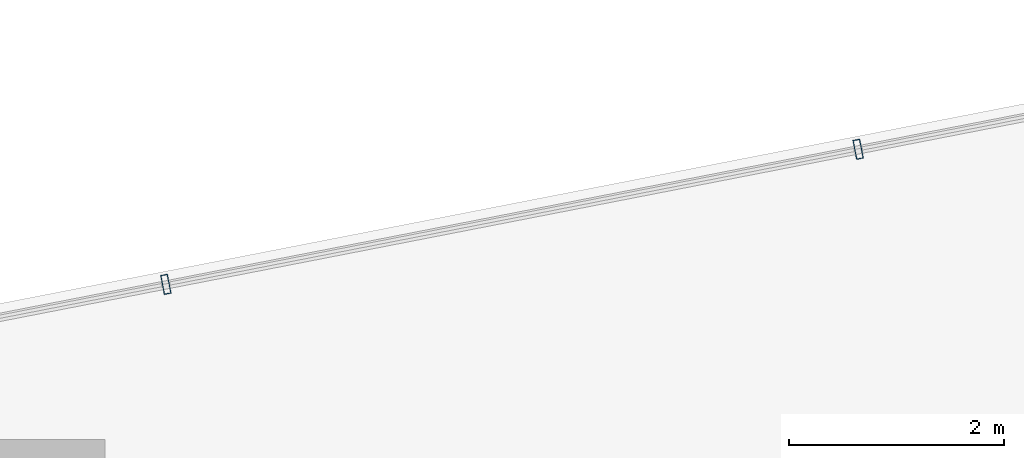
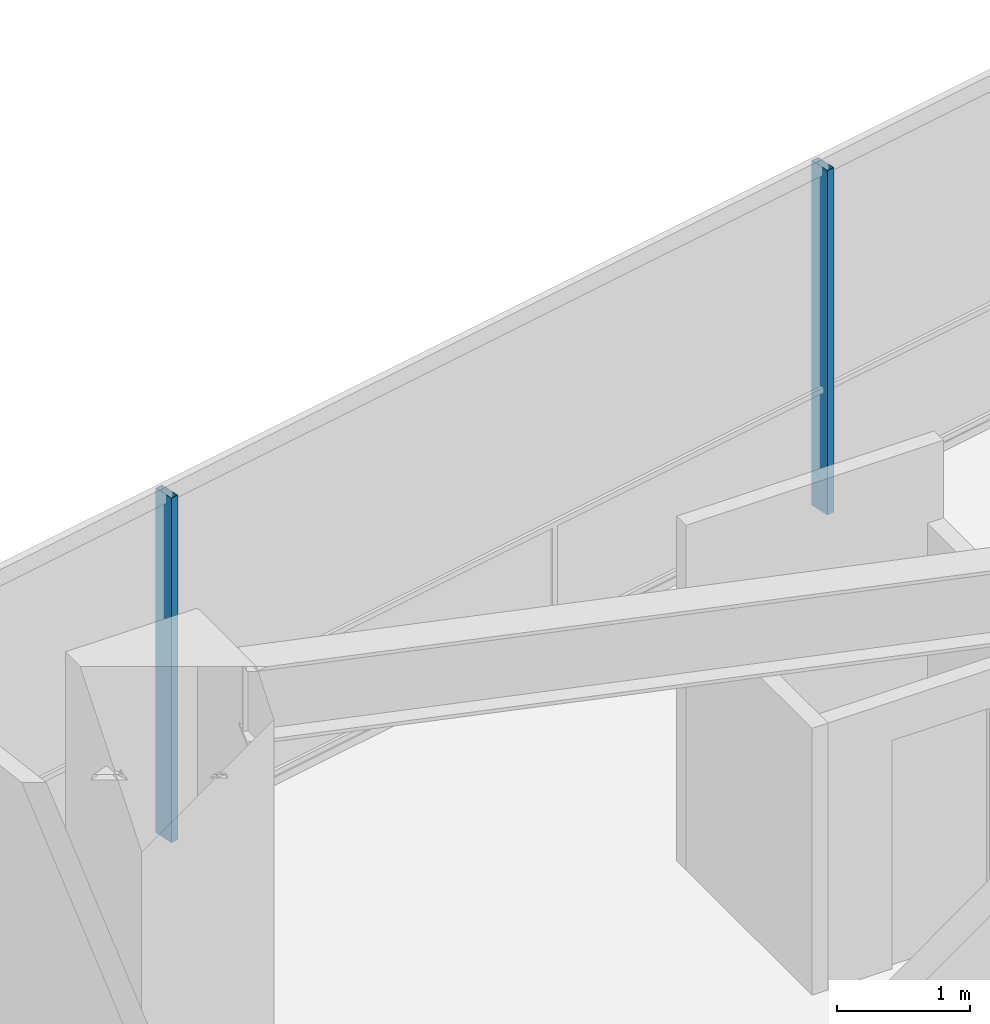
# One storey, part 19 of 27: 2 members, 1 element without a shape of its own.
"""IFC4 building model written with IfcOpenShell, lengths in metres."""

from ifc_helpers import new_model, si_unit, direction, frame, origin, origin_2d, place, context, subcontext, project, spatial, hollow_rectangle, extrude, material, layer, layer_set, material_profile, profile_set, type_object, element, aggregate, save


model = new_model("IFC4")

# Units and contexts
model_context = context("Model", 3, precision=1e-05, world=origin(), true_north=direction((0.0, 1.0)))
body_context = subcontext(model_context, "Body", "Model", "MODEL_VIEW")
ifc_project = project(units=[si_unit("LENGTHUNIT", "METRE"), si_unit("AREAUNIT", "SQUARE_METRE"), si_unit("VOLUMEUNIT", "CUBIC_METRE"), si_unit("PLANEANGLEUNIT", "RADIAN"), si_unit("MASSUNIT", "GRAM", prefix="KILO")], contexts=[model_context])

# Site, building, storey
site_placement = place(None, origin())
site = spatial("IfcSite", under=ifc_project, at=site_placement, CompositionType="ELEMENT")
building_placement = place(site_placement, origin())
building = spatial("IfcBuilding", under=site, at=building_placement, Name="Qarnah Convention Tower", CompositionType="ELEMENT")
storey_placement = place(building_placement, frame((0.0, 0.0, 107.39990234375)))
storey = spatial("IfcBuildingStorey", under=building, at=storey_placement, Name="L28", CompositionType="ELEMENT", Elevation=107.39990234375)

# Curtain wall, members
ifc_material_1 = material(Name="Tempered Low-E dark glass", Category="glass")
ifc_layer = layer(ifc_material_1, 0.169921875)
ifc_layer_set = layer_set([ifc_layer], Name="Tempered Low-E dark glass")
curtain_wall_type = type_object("IfcCurtainWallType", Name="CWS-02", PredefinedType="NOTDEFINED", material=ifc_layer_set)
curtain_wall_placement = place(storey_placement, origin())
curtain_wall = element("IfcCurtainWall", 1, at=curtain_wall_placement, inside=storey, type_object=curtain_wall_type, Name="L28 unitised curtain wall CW-L28-F1", PredefinedType="NOTDEFINED")
ifc_material_2 = material(Name="Black anodised aluminium", Category="aluminium")
ifc_material_profile = material_profile(ifc_material_2, hollow_rectangle(XDim=0.06494140625, YDim=0.179931640625, WallThickness=0.00390625, at=origin_2d()), Name="MUL-65X180")
ifc_profile_set = profile_set([ifc_material_profile], Name="Black anodised aluminium")
member_type = type_object("IfcMemberType", Name="MUL-T2", PredefinedType="MULLION", material=ifc_profile_set)
member_1_placement = place(storey_placement, frame((37.793701171875, 44.0576171875, 0.0), z_axis=(0.0, 0.0, 1.0), x_axis=(0.981494509817, 0.191490279646, 0.0)))
member_1 = element("IfcMember", 2, at=member_1_placement, type_object=member_type, Name="CW-L28-F1 mullion 4", PredefinedType="MULLION", context=body_context, shape_type="SweptSolid", body=[
    extrude(hollow_rectangle(XDim=0.06494140625, YDim=0.179931640625, WallThickness=0.00390625, at=origin_2d()), origin(), (0.0, 0.0, 1.0), 3.170166015625),
])
member_2_placement = place(storey_placement, frame((44.227294921875, 45.312744140625, 0.0), z_axis=(0.0, 0.0, 1.0), x_axis=(0.981494509817, 0.191490279646, 0.0)))
member_2 = element("IfcMember", 3, at=member_2_placement, type_object=member_type, Name="CW-L28-F1 mullion 5", PredefinedType="MULLION", context=body_context, shape_type="SweptSolid", body=[
    extrude(hollow_rectangle(XDim=0.06494140625, YDim=0.179931640625, WallThickness=0.00390625, at=origin_2d()), origin(), (0.0, 0.0, 1.0), 3.170166015625),
])
aggregate(curtain_wall, [member_1, member_2])

save(model, "model.ifc")
